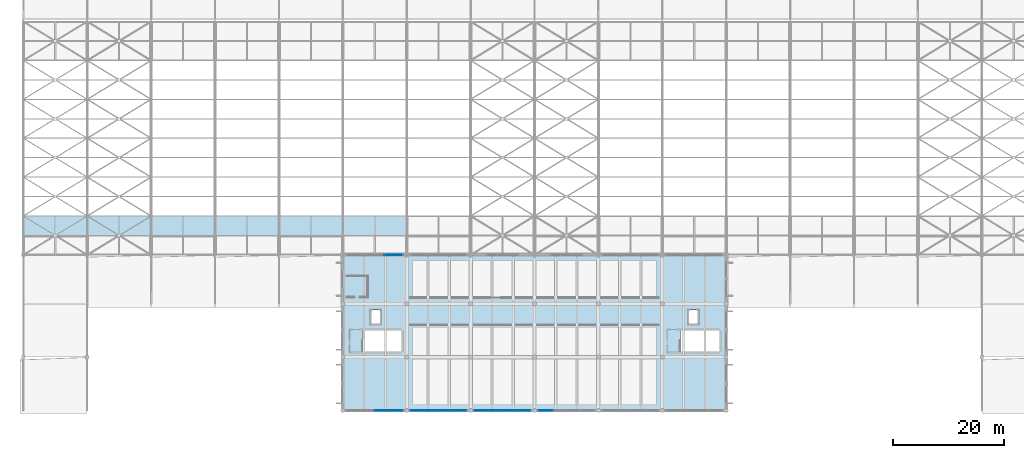
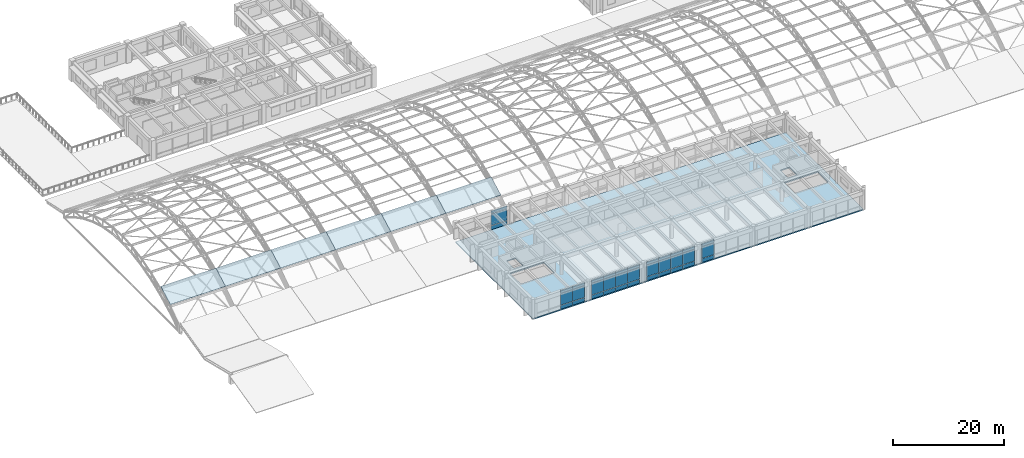
# One storey, part 124 of 154: 36 plates, 7 slabs, 5 elements without a shape of their own.
"""IFC4 building model written with IfcOpenShell, lengths in metres."""

import ifcopenshell
import ifcopenshell.guid

model = None  # the IFC model being written
_history = None  # IfcOwnerHistory: only IFC2X3 demands one
_inside = {}  # id of a spatial element -> (the spatial element, [elements in it])
_under = {}  # id of a project, library or spatial element -> (it, [spatial elements below it])
_declared = {}  # id of a project -> (the project, [libraries it declares])
_typed = {}  # id of a type object -> (the type object, [elements of that type])
_made_of = {}  # id of a material, layer set ... -> (it, [elements and type objects made of it])


def new_model(schema):
    """Start an empty IFC model of exactly this schema.

    Asked for "IFC4X3", IfcOpenShell would pick the latest addendum, in which some entities
    have other attributes; the version numbers below select the first issue.
    IFC2X3 requires an IfcOwnerHistory on every rooted entity: one is made here for all.
    """
    global model, _history
    if schema == "IFC4X3":
        model = ifcopenshell.file(schema_version=(4, 3, 0, 0))
    else:
        model = ifcopenshell.file(schema=schema)
    _inside.clear()
    _under.clear()
    _declared.clear()
    _typed.clear()
    _made_of.clear()
    _history = None
    if model.schema == "IFC2X3":
        org = make("IfcOrganization", Name="unknown")
        user = make(
            "IfcPersonAndOrganization",
            ThePerson=make("IfcPerson", FamilyName="unknown"),
            TheOrganization=org,
        )
        app = make(
            "IfcApplication",
            ApplicationDeveloper=org,
            Version="unknown",
            ApplicationFullName="unknown",
            ApplicationIdentifier="unknown",
        )
        _history = make(
            "IfcOwnerHistory",
            OwningUser=user,
            OwningApplication=app,
            ChangeAction="ADDED",
            CreationDate=0,
        )
    return model


def make(cls, **values):
    """One entity of the class cls with the attributes given. An attribute that is None is left unset."""
    return model.create_entity(
        cls, **{name: value for name, value in values.items() if value is not None}
    )


def rooted(cls, **values):
    """An entity with a GlobalId (a new one), such as an element, a storey or a relation."""
    return make(cls, GlobalId=ifcopenshell.guid.new(), OwnerHistory=_history, **values)


def si_unit(unit_type, name, prefix=None):
    """IfcSIUnit, for example si_unit("LENGTHUNIT", "METRE", prefix="MILLI")."""
    return make("IfcSIUnit", UnitType=unit_type, Prefix=prefix, Name=name)


def assignment(units):
    """IfcUnitAssignment: the units of a project."""
    return None if units is None else make("IfcUnitAssignment", Units=units)


def point(xyz):
    """IfcCartesianPoint."""
    return None if xyz is None else make("IfcCartesianPoint", Coordinates=xyz)


def direction(xyz):
    """IfcDirection."""
    return None if xyz is None else make("IfcDirection", DirectionRatios=xyz)


def frame(location, z_axis=None, x_axis=None):
    """IfcAxis2Placement3D, a coordinate frame: its origin and axes. An axis left out is left unset."""
    return make(
        "IfcAxis2Placement3D",
        Location=point(location),
        Axis=direction(z_axis),
        RefDirection=direction(x_axis),
    )


def frame_2d(location, x_axis=None):
    """IfcAxis2Placement2D, a coordinate frame in the plane: its origin and x axis."""
    return make(
        "IfcAxis2Placement2D", Location=point(location), RefDirection=direction(x_axis)
    )


def origin():
    """The frame at (0, 0, 0) with its axes left unset."""
    return frame((0.0, 0.0, 0.0))


def origin_2d():
    """The frame at (0, 0) in the plane with its x axis left unset."""
    return frame_2d((0.0, 0.0))


def place(relative_to, where):
    """IfcLocalPlacement: puts the frame where relative to a parent placement (None: the world)."""
    return make(
        "IfcLocalPlacement", PlacementRelTo=relative_to, RelativePlacement=where
    )


def context(
    kind, dimensions, precision=None, world=None, true_north=None, identifier=None
):
    """IfcGeometricRepresentationContext, for example the 3D "Model" context."""
    return make(
        "IfcGeometricRepresentationContext",
        ContextIdentifier=identifier,
        ContextType=kind,
        CoordinateSpaceDimension=dimensions,
        Precision=precision,
        WorldCoordinateSystem=world,
        TrueNorth=true_north,
    )


def subcontext(parent, identifier, kind, view, scale=None):
    """IfcGeometricRepresentationSubContext, for example "Body" below "Model"."""
    return make(
        "IfcGeometricRepresentationSubContext",
        ContextIdentifier=identifier,
        ContextType=kind,
        ParentContext=parent,
        TargetScale=scale,
        TargetView=view,
    )


def project(units=None, contexts=None):
    """IfcProject with its units and contexts."""
    return rooted(
        "IfcProject",
        Name="project",
        RepresentationContexts=contexts,
        UnitsInContext=assignment(units),
    )


def spatial(cls, under=None, at=None, **own):
    """A site, building, storey or space (cls), placed at a placement, below another one or the project."""
    s = rooted(cls, ObjectPlacement=at, **own)
    if under is not None:
        _under.setdefault(under.id(), (under, []))[1].append(s)
    return s


def polyline(points):
    """IfcPolyline through the points."""
    return make("IfcPolyline", Points=[point(p) for p in points])


def profile(cls, at=None, kind="AREA", **sizes):
    """A parametric profile (cls). Its sizes go by their IFC names, for example OverallWidth=200.0."""
    return make(cls, ProfileType=kind, Position=at, **sizes)


def rectangle(**sizes):
    """IfcRectangleProfileDef."""
    return profile("IfcRectangleProfileDef", **sizes)


def outline(outer, holes=None, kind="AREA"):
    """IfcArbitraryClosedProfileDef: a profile drawn as a closed curve; with holes, ...WithVoids."""
    if holes is None:
        return make("IfcArbitraryClosedProfileDef", ProfileType=kind, OuterCurve=outer)
    return make(
        "IfcArbitraryProfileDefWithVoids",
        ProfileType=kind,
        OuterCurve=outer,
        InnerCurves=holes,
    )


def extrude(swept, where, along, depth):
    """IfcExtrudedAreaSolid: the profile swept, set in the frame where, extruded along a direction by depth."""
    return make(
        "IfcExtrudedAreaSolid",
        SweptArea=swept,
        Position=where,
        ExtrudedDirection=direction(along),
        Depth=depth,
    )


def shape(context_of_items, identifier, shape_type, items):
    """IfcShapeRepresentation: the items that make up one representation, for example the "Body"."""
    return make(
        "IfcShapeRepresentation",
        ContextOfItems=context_of_items,
        RepresentationIdentifier=identifier,
        RepresentationType=shape_type,
        Items=items,
    )


def material(Name=None, Category=None):
    """IfcMaterial."""
    return make("IfcMaterial", Name=Name, Category=Category)


def layer(
    of_material, thickness, ventilated=None, Name=None, Category=None, Priority=None
):
    """IfcMaterialLayer: one layer of a wall or slab, of a material (None: an air gap)."""
    return make(
        "IfcMaterialLayer",
        Material=of_material,
        LayerThickness=thickness,
        IsVentilated=ventilated,
        Name=Name,
        Category=Category,
        Priority=Priority,
    )


def layer_set(layers, Name=None):
    """IfcMaterialLayerSet."""
    return make("IfcMaterialLayerSet", MaterialLayers=layers, LayerSetName=Name)


def made_of(thing, what):
    """Note that an element or type object is made of a material, layer set ...; save() writes the relation."""
    if what is not None:
        _made_of.setdefault(what.id(), (what, []))[1].append(thing)
    return thing


def type_object(cls, material=None, **own):
    """A type object (cls), such as IfcWallType, which elements share."""
    return made_of(rooted(cls, **own), material)


def element(
    cls,
    number,
    at=None,
    inside=None,
    cuts=None,
    type_object=None,
    material=None,
    context=None,
    identifier="Body",
    shape_type=None,
    held_by="IfcProductDefinitionShape",
    body=None,
    shapes=None,
    **own,
):
    """One element of the class cls, such as IfcWall. Its Tag is "e" and its number.

    at: its placement. inside: the storey or other place that contains it. cuts: it is an
    opening in that element (IfcRelVoidsElement). A single representation is given by context,
    identifier, shape_type and body (its items); several are given by shapes. held_by: the class
    of the entity that holds the representations. save() writes the other relations.
    """
    e = rooted(cls, Tag="e%d" % number, ObjectPlacement=at, **own)
    if body is not None:
        shapes = [shape(context, identifier, shape_type, body)]
    if shapes is not None:
        e.Representation = make(held_by, Representations=shapes)
    if inside is not None:
        _inside.setdefault(inside.id(), (inside, []))[1].append(e)
    if cuts is not None:
        rooted(
            "IfcRelVoidsElement", RelatingBuildingElement=cuts, RelatedOpeningElement=e
        )
    if type_object is not None:
        _typed.setdefault(type_object.id(), (type_object, []))[1].append(e)
    return made_of(e, material)


def aggregate(whole, parts):
    """IfcRelAggregates: a whole, such as a stair, and the parts it consists of."""
    return rooted("IfcRelAggregates", RelatingObject=whole, RelatedObjects=parts)


def save(model, path):
    """Write the relations noted so far, then the file.

    IfcRelAggregates (storeys below a building ...), IfcRelContainedInSpatialStructure (elements
    in a storey), IfcRelDefinesByType, IfcRelAssociatesMaterial and IfcRelDeclares: one each for
    every whole, place, type object, material and project.
    """
    for whole, parts in _under.values():
        aggregate(whole, parts)
    for where, things in _inside.values():
        rooted(
            "IfcRelContainedInSpatialStructure",
            RelatedElements=things,
            RelatingStructure=where,
        )
    for kind, things in _typed.values():
        rooted("IfcRelDefinesByType", RelatedObjects=things, RelatingType=kind)
    for what, things in _made_of.values():
        rooted("IfcRelAssociatesMaterial", RelatedObjects=things, RelatingMaterial=what)
    for by, libraries in _declared.values():
        rooted("IfcRelDeclares", RelatingContext=by, RelatedDefinitions=libraries)
    model.write(path)


model = new_model("IFC4")

# Units and contexts
model_context = context("Model", 3, precision=1e-05, world=origin(), true_north=direction((0.0, 1.0)))
body_context = subcontext(model_context, "Body", "Model", "MODEL_VIEW")
ifc_project = project(units=[si_unit("LENGTHUNIT", "METRE"), si_unit("AREAUNIT", "SQUARE_METRE"), si_unit("VOLUMEUNIT", "CUBIC_METRE"), si_unit("PLANEANGLEUNIT", "RADIAN"), si_unit("MASSUNIT", "GRAM", prefix="KILO")], contexts=[model_context])

# Site, building, storey
site_placement = place(None, origin())
site = spatial("IfcSite", under=ifc_project, at=site_placement, CompositionType="ELEMENT")
building_placement = place(site_placement, origin())
building = spatial("IfcBuilding", under=site, at=building_placement, Name="Ologun Quay Terminus", CompositionType="ELEMENT")
storey_placement = place(building_placement, frame((0.0, 0.0, 13.800048828125)))
storey = spatial("IfcBuildingStorey", under=building, at=storey_placement, Name="L03", CompositionType="ELEMENT", Elevation=13.800048828125)

# Curtain wall, plates
ifc_material_1 = material(Name="Aluminium 6063-T6", Category="aluminium")
curtain_wall_type_1 = type_object("IfcCurtainWallType", Name="South Pavilion Reading Hall Curtain Wall 10700x4150", PredefinedType="USERDEFINED", material=ifc_material_1)
curtain_wall_1_placement = place(storey_placement, origin())
curtain_wall_1 = element("IfcCurtainWall", 1, at=curtain_wall_1_placement, inside=storey, type_object=curtain_wall_type_1, Name="CW-06 Curtain Wall CW-L03-034", ObjectType="UNITISED CURTAIN WALL", PredefinedType="USERDEFINED")
ifc_material_2 = material(Name="Aluminium 6063-T6", Category="aluminium")
ifc_layer_1 = layer(ifc_material_2, 0.06005859375)
ifc_layer_set_1 = layer_set([ifc_layer_1], Name="Aluminium 6063-T6")
plate_type_1 = type_object("IfcPlateType", Name="Anodised Bronze Spandrel Panel 60", PredefinedType="CURTAIN_PANEL", material=ifc_layer_set_1)
plate_1_placement = place(storey_placement, frame((64.501220703125, 8.0, 0.02978515625), z_axis=(0.0, 0.0, 1.0), x_axis=(1.0, 0.0, 0.0)))
plate_1 = element("IfcPlate", 2, at=plate_1_placement, type_object=plate_type_1, Name="CW-L03-034 Panel B3-1", PredefinedType="CURTAIN_PANEL", context=body_context, shape_type="SweptSolid", body=[
    extrude(rectangle(XDim=2.50244140625, YDim=0.06005859375, at=origin_2d()), origin(), (0.0, 0.0, 1.0), 0.840087890625),
])
plate_2_placement = place(storey_placement, frame((67.003662109375, 8.0, 0.02978515625), z_axis=(0.0, 0.0, 1.0), x_axis=(1.0, 0.0, 0.0)))
plate_2 = element("IfcPlate", 3, at=plate_2_placement, type_object=plate_type_1, Name="CW-L03-034 Panel B4-1", PredefinedType="CURTAIN_PANEL", context=body_context, shape_type="SweptSolid", body=[
    extrude(rectangle(XDim=2.50244140625, YDim=0.06005859375, at=origin_2d()), origin(), (0.0, 0.0, 1.0), 0.840087890625),
])

curtain_wall_2_placement = place(storey_placement, origin())
curtain_wall_2 = element("IfcCurtainWall", 4, at=curtain_wall_2_placement, inside=storey, type_object=curtain_wall_type_1, Name="CW-06 Curtain Wall CW-L03-035", ObjectType="UNITISED CURTAIN WALL", PredefinedType="USERDEFINED")
plate_3_placement = place(storey_placement, frame((70.996337890625, 8.0, 0.02978515625), z_axis=(0.0, 0.0, 1.0), x_axis=(1.0, 0.0, 0.0)))
plate_3 = element("IfcPlate", 5, at=plate_3_placement, type_object=plate_type_1, Name="CW-L03-035 Panel B1-1", PredefinedType="CURTAIN_PANEL", context=body_context, shape_type="SweptSolid", body=[
    extrude(rectangle(XDim=2.50244140625, YDim=0.06005859375, at=origin_2d()), origin(), (0.0, 0.0, 1.0), 0.840087890625),
])
plate_4_placement = place(storey_placement, frame((73.498779296875, 8.0, 0.02978515625), z_axis=(0.0, 0.0, 1.0), x_axis=(1.0, 0.0, 0.0)))
plate_4 = element("IfcPlate", 6, at=plate_4_placement, type_object=plate_type_1, Name="CW-L03-035 Panel B2-1", PredefinedType="CURTAIN_PANEL", context=body_context, shape_type="SweptSolid", body=[
    extrude(rectangle(XDim=2.50244140625, YDim=0.06005859375, at=origin_2d()), origin(), (0.0, 0.0, 1.0), 0.840087890625),
])
plate_5_placement = place(storey_placement, frame((76.001220703125, 8.0, 0.02978515625), z_axis=(0.0, 0.0, 1.0), x_axis=(1.0, 0.0, 0.0)))
plate_5 = element("IfcPlate", 7, at=plate_5_placement, type_object=plate_type_1, Name="CW-L03-035 Panel B3-1", PredefinedType="CURTAIN_PANEL", context=body_context, shape_type="SweptSolid", body=[
    extrude(rectangle(XDim=2.50244140625, YDim=0.06005859375, at=origin_2d()), origin(), (0.0, 0.0, 1.0), 0.840087890625),
])
plate_6_placement = place(storey_placement, frame((78.503662109375, 8.0, 0.02978515625), z_axis=(0.0, 0.0, 1.0), x_axis=(1.0, 0.0, 0.0)))
plate_6 = element("IfcPlate", 8, at=plate_6_placement, type_object=plate_type_1, Name="CW-L03-035 Panel B4-1", PredefinedType="CURTAIN_PANEL", context=body_context, shape_type="SweptSolid", body=[
    extrude(rectangle(XDim=2.50244140625, YDim=0.06005859375, at=origin_2d()), origin(), (0.0, 0.0, 1.0), 0.840087890625),
])

curtain_wall_3_placement = place(storey_placement, origin())
curtain_wall_3 = element("IfcCurtainWall", 9, at=curtain_wall_3_placement, inside=storey, type_object=curtain_wall_type_1, Name="CW-06 Curtain Wall CW-L03-036", ObjectType="UNITISED CURTAIN WALL", PredefinedType="USERDEFINED")
plate_7_placement = place(storey_placement, frame((82.496337890625, 8.0, 0.02978515625), z_axis=(0.0, 0.0, 1.0), x_axis=(1.0, 0.0, 0.0)))
plate_7 = element("IfcPlate", 10, at=plate_7_placement, type_object=plate_type_1, Name="CW-L03-036 Panel B1-1", PredefinedType="CURTAIN_PANEL", context=body_context, shape_type="SweptSolid", body=[
    extrude(rectangle(XDim=2.50244140625, YDim=0.06005859375, at=origin_2d()), origin(), (0.0, 0.0, 1.0), 0.840087890625),
])
plate_8_placement = place(storey_placement, frame((84.998779296875, 8.0, 0.02978515625), z_axis=(0.0, 0.0, 1.0), x_axis=(1.0, 0.0, 0.0)))
plate_8 = element("IfcPlate", 11, at=plate_8_placement, type_object=plate_type_1, Name="CW-L03-036 Panel B2-1", PredefinedType="CURTAIN_PANEL", context=body_context, shape_type="SweptSolid", body=[
    extrude(rectangle(XDim=2.50244140625, YDim=0.06005859375, at=origin_2d()), origin(), (0.0, 0.0, 1.0), 0.840087890625),
])
plate_9_placement = place(storey_placement, frame((87.501220703125, 8.0, 0.02978515625), z_axis=(0.0, 0.0, 1.0), x_axis=(1.0, 0.0, 0.0)))
plate_9 = element("IfcPlate", 12, at=plate_9_placement, type_object=plate_type_1, Name="CW-L03-036 Panel B3-1", PredefinedType="CURTAIN_PANEL", context=body_context, shape_type="SweptSolid", body=[
    extrude(rectangle(XDim=2.50244140625, YDim=0.06005859375, at=origin_2d()), origin(), (0.0, 0.0, 1.0), 0.840087890625),
])
plate_10_placement = place(storey_placement, frame((90.003662109375, 8.0, 0.02978515625), z_axis=(0.0, 0.0, 1.0), x_axis=(1.0, 0.0, 0.0)))
plate_10 = element("IfcPlate", 13, at=plate_10_placement, type_object=plate_type_1, Name="CW-L03-036 Panel B4-1", PredefinedType="CURTAIN_PANEL", context=body_context, shape_type="SweptSolid", body=[
    extrude(rectangle(XDim=2.50244140625, YDim=0.06005859375, at=origin_2d()), origin(), (0.0, 0.0, 1.0), 0.840087890625),
])

# Curtain wall, plate
curtain_wall_4_placement = place(storey_placement, origin())
curtain_wall_4 = element("IfcCurtainWall", 14, at=curtain_wall_4_placement, inside=storey, type_object=curtain_wall_type_1, Name="CW-06 Curtain Wall CW-L03-037", ObjectType="UNITISED CURTAIN WALL", PredefinedType="USERDEFINED")
plate_11_placement = place(storey_placement, frame((93.996337890625, 8.0, 0.02978515625), z_axis=(0.0, 0.0, 1.0), x_axis=(1.0, 0.0, 0.0)))
plate_11 = element("IfcPlate", 15, at=plate_11_placement, type_object=plate_type_1, Name="CW-L03-037 Panel B1-1", PredefinedType="CURTAIN_PANEL", context=body_context, shape_type="SweptSolid", body=[
    extrude(rectangle(XDim=2.50244140625, YDim=0.06005859375, at=origin_2d()), origin(), (0.0, 0.0, 1.0), 0.840087890625),
])

ifc_material_3 = material(Name="Aluminium 6063-T6", Category="aluminium")
curtain_wall_type_2 = type_object("IfcCurtainWallType", Name="South Pavilion Clerestory Curtain Wall 10700x4050", PredefinedType="USERDEFINED", material=ifc_material_3)
curtain_wall_5_placement = place(storey_placement, origin())
curtain_wall_5 = element("IfcCurtainWall", 16, at=curtain_wall_5_placement, inside=storey, type_object=curtain_wall_type_2, Name="CW-07 Curtain Wall CW-L03-040", ObjectType="UNITISED CURTAIN WALL", PredefinedType="USERDEFINED")
ifc_material_4 = material(Name="Aluminium 6063-T6", Category="aluminium")
ifc_layer_2 = layer(ifc_material_4, 0.050048828125)
ifc_layer_set_2 = layer_set([ifc_layer_2], Name="Aluminium 6063-T6")
plate_type_2 = type_object("IfcPlateType", Name="Insulated Aluminium Shadow-Box Spandrel 50", PredefinedType="CURTAIN_PANEL", material=ifc_layer_set_2)
plate_12_placement = place(storey_placement, frame((66.586669921875, 36.0, 0.02978515625), z_axis=(0.0, 0.0, 1.0), x_axis=(1.0, 0.0, 0.0)))
plate_12 = element("IfcPlate", 17, at=plate_12_placement, type_object=plate_type_2, Name="CW-L03-040 Panel B3-1", PredefinedType="CURTAIN_PANEL", context=body_context, shape_type="SweptSolid", body=[
    extrude(rectangle(XDim=3.336669921875, YDim=0.050048828125, at=origin_2d()), origin(), (0.0, 0.0, 1.0), 0.840087890625),
])

# Slab
ifc_material_5 = material(Name="Concrete C40/50", Category="concrete")
ifc_layer_3 = layer(ifc_material_5, 0.25)
ifc_layer_set_3 = layer_set([ifc_layer_3], Name="Concrete C40/50")
slab_type_1 = type_object("IfcSlabType", Name="North Wing Floor Slab 250", PredefinedType="FLOOR", material=ifc_layer_set_3)
slab_placement = place(storey_placement, frame((0.0, 0.0, -0.25)))
element("IfcSlab", 18, at=slab_placement, inside=storey, type_object=slab_type_1, Name="SL-TWR South Pavilion Upper Hall Slab L03", PredefinedType="FLOOR", context=body_context, shape_type="SweptSolid", body=[
    extrude(outline(polyline([(57.5, 8.0), (126.5, 8.0), (126.5, 36.0), (57.5, 36.0), (57.5, 8.0)]), holes=[polyline([(62.449951171875, 23.449951171875), (62.449951171875, 26.14990234375), (64.35009765625, 26.14990234375), (64.35009765625, 23.449951171875), (62.449951171875, 23.449951171875)]), polyline([(119.64990234375, 23.449951171875), (119.64990234375, 26.14990234375), (121.550048828125, 26.14990234375), (121.550048828125, 23.449951171875), (119.64990234375, 23.449951171875)]), polyline([(61.080078125, 18.60009765625), (61.080078125, 22.39990234375), (68.10009765625, 22.39990234375), (68.10009765625, 18.60009765625), (61.080078125, 18.60009765625)]), polyline([(118.280029296875, 18.60009765625), (118.280029296875, 22.39990234375), (125.300048828125, 22.39990234375), (125.300048828125, 18.60009765625), (118.280029296875, 18.60009765625)])]), origin(), (0.0, 0.0, 1.0), 0.25),
])

# Plate
ifc_material_6 = material(Name="Glass", Category="glass")
ifc_layer_4 = layer(ifc_material_6, 0.028076171875)
ifc_layer_set_4 = layer_set([ifc_layer_4], Name="Glass")
plate_type_3 = type_object("IfcPlateType", Name="Solar-Control Double Glazed Panel 28", PredefinedType="CURTAIN_PANEL", material=ifc_layer_set_4)
plate_13_placement = place(storey_placement, frame((64.501220703125, 8.0, 0.929931640625), z_axis=(0.0, 0.0, 1.0), x_axis=(1.0, 0.0, 0.0)))
plate_13 = element("IfcPlate", 19, at=plate_13_placement, type_object=plate_type_3, Name="CW-L03-034 Panel B3-2", PredefinedType="CURTAIN_PANEL", context=body_context, shape_type="SweptSolid", body=[
    extrude(rectangle(XDim=2.50244140625, YDim=0.028076171875, at=origin_2d()), origin(), (0.0, 0.0, 1.0), 2.580078125),
])

plate_14_placement = place(storey_placement, frame((64.501220703125, 8.0, 3.56982421875), z_axis=(0.0, 0.0, 1.0), x_axis=(1.0, 0.0, 0.0)))
plate_14 = element("IfcPlate", 20, at=plate_14_placement, type_object=plate_type_3, Name="CW-L03-034 Panel B3-3", PredefinedType="CURTAIN_PANEL", context=body_context, shape_type="SweptSolid", body=[
    extrude(rectangle(XDim=2.50244140625, YDim=0.028076171875, at=origin_2d()), origin(), (0.0, 0.0, 1.0), 0.639892578125),
])

plate_15_placement = place(storey_placement, frame((67.003662109375, 8.0, 0.929931640625), z_axis=(0.0, 0.0, 1.0), x_axis=(1.0, 0.0, 0.0)))
plate_15 = element("IfcPlate", 21, at=plate_15_placement, type_object=plate_type_3, Name="CW-L03-034 Panel B4-2", PredefinedType="CURTAIN_PANEL", context=body_context, shape_type="SweptSolid", body=[
    extrude(rectangle(XDim=2.50244140625, YDim=0.028076171875, at=origin_2d()), origin(), (0.0, 0.0, 1.0), 2.580078125),
])

plate_16_placement = place(storey_placement, frame((67.003662109375, 8.0, 3.56982421875), z_axis=(0.0, 0.0, 1.0), x_axis=(1.0, 0.0, 0.0)))
plate_16 = element("IfcPlate", 22, at=plate_16_placement, type_object=plate_type_3, Name="CW-L03-034 Panel B4-3", PredefinedType="CURTAIN_PANEL", context=body_context, shape_type="SweptSolid", body=[
    extrude(rectangle(XDim=2.50244140625, YDim=0.028076171875, at=origin_2d()), origin(), (0.0, 0.0, 1.0), 0.639892578125),
])

aggregate(curtain_wall_1, [plate_1, plate_13, plate_14, plate_2, plate_15, plate_16])

plate_17_placement = place(storey_placement, frame((70.996337890625, 8.0, 0.929931640625), z_axis=(0.0, 0.0, 1.0), x_axis=(1.0, 0.0, 0.0)))
plate_17 = element("IfcPlate", 23, at=plate_17_placement, type_object=plate_type_3, Name="CW-L03-035 Panel B1-2", PredefinedType="CURTAIN_PANEL", context=body_context, shape_type="SweptSolid", body=[
    extrude(rectangle(XDim=2.50244140625, YDim=0.028076171875, at=origin_2d()), origin(), (0.0, 0.0, 1.0), 2.580078125),
])

plate_18_placement = place(storey_placement, frame((70.996337890625, 8.0, 3.56982421875), z_axis=(0.0, 0.0, 1.0), x_axis=(1.0, 0.0, 0.0)))
plate_18 = element("IfcPlate", 24, at=plate_18_placement, type_object=plate_type_3, Name="CW-L03-035 Panel B1-3", PredefinedType="CURTAIN_PANEL", context=body_context, shape_type="SweptSolid", body=[
    extrude(rectangle(XDim=2.50244140625, YDim=0.028076171875, at=origin_2d()), origin(), (0.0, 0.0, 1.0), 0.639892578125),
])

plate_19_placement = place(storey_placement, frame((73.498779296875, 8.0, 0.929931640625), z_axis=(0.0, 0.0, 1.0), x_axis=(1.0, 0.0, 0.0)))
plate_19 = element("IfcPlate", 25, at=plate_19_placement, type_object=plate_type_3, Name="CW-L03-035 Panel B2-2", PredefinedType="CURTAIN_PANEL", context=body_context, shape_type="SweptSolid", body=[
    extrude(rectangle(XDim=2.50244140625, YDim=0.028076171875, at=origin_2d()), origin(), (0.0, 0.0, 1.0), 2.580078125),
])

plate_20_placement = place(storey_placement, frame((73.498779296875, 8.0, 3.56982421875), z_axis=(0.0, 0.0, 1.0), x_axis=(1.0, 0.0, 0.0)))
plate_20 = element("IfcPlate", 26, at=plate_20_placement, type_object=plate_type_3, Name="CW-L03-035 Panel B2-3", PredefinedType="CURTAIN_PANEL", context=body_context, shape_type="SweptSolid", body=[
    extrude(rectangle(XDim=2.50244140625, YDim=0.028076171875, at=origin_2d()), origin(), (0.0, 0.0, 1.0), 0.639892578125),
])

plate_21_placement = place(storey_placement, frame((76.001220703125, 8.0, 0.929931640625), z_axis=(0.0, 0.0, 1.0), x_axis=(1.0, 0.0, 0.0)))
plate_21 = element("IfcPlate", 27, at=plate_21_placement, type_object=plate_type_3, Name="CW-L03-035 Panel B3-2", PredefinedType="CURTAIN_PANEL", context=body_context, shape_type="SweptSolid", body=[
    extrude(rectangle(XDim=2.50244140625, YDim=0.028076171875, at=origin_2d()), origin(), (0.0, 0.0, 1.0), 2.580078125),
])

plate_22_placement = place(storey_placement, frame((76.001220703125, 8.0, 3.56982421875), z_axis=(0.0, 0.0, 1.0), x_axis=(1.0, 0.0, 0.0)))
plate_22 = element("IfcPlate", 28, at=plate_22_placement, type_object=plate_type_3, Name="CW-L03-035 Panel B3-3", PredefinedType="CURTAIN_PANEL", context=body_context, shape_type="SweptSolid", body=[
    extrude(rectangle(XDim=2.50244140625, YDim=0.028076171875, at=origin_2d()), origin(), (0.0, 0.0, 1.0), 0.639892578125),
])

plate_23_placement = place(storey_placement, frame((78.503662109375, 8.0, 0.929931640625), z_axis=(0.0, 0.0, 1.0), x_axis=(1.0, 0.0, 0.0)))
plate_23 = element("IfcPlate", 29, at=plate_23_placement, type_object=plate_type_3, Name="CW-L03-035 Panel B4-2", PredefinedType="CURTAIN_PANEL", context=body_context, shape_type="SweptSolid", body=[
    extrude(rectangle(XDim=2.50244140625, YDim=0.028076171875, at=origin_2d()), origin(), (0.0, 0.0, 1.0), 2.580078125),
])

plate_24_placement = place(storey_placement, frame((78.503662109375, 8.0, 3.56982421875), z_axis=(0.0, 0.0, 1.0), x_axis=(1.0, 0.0, 0.0)))
plate_24 = element("IfcPlate", 30, at=plate_24_placement, type_object=plate_type_3, Name="CW-L03-035 Panel B4-3", PredefinedType="CURTAIN_PANEL", context=body_context, shape_type="SweptSolid", body=[
    extrude(rectangle(XDim=2.50244140625, YDim=0.028076171875, at=origin_2d()), origin(), (0.0, 0.0, 1.0), 0.639892578125),
])

aggregate(curtain_wall_2, [plate_3, plate_17, plate_18, plate_4, plate_19, plate_20, plate_5, plate_21, plate_22, plate_6, plate_23, plate_24])

plate_25_placement = place(storey_placement, frame((82.496337890625, 8.0, 0.929931640625), z_axis=(0.0, 0.0, 1.0), x_axis=(1.0, 0.0, 0.0)))
plate_25 = element("IfcPlate", 31, at=plate_25_placement, type_object=plate_type_3, Name="CW-L03-036 Panel B1-2", PredefinedType="CURTAIN_PANEL", context=body_context, shape_type="SweptSolid", body=[
    extrude(rectangle(XDim=2.50244140625, YDim=0.028076171875, at=origin_2d()), origin(), (0.0, 0.0, 1.0), 2.580078125),
])

plate_26_placement = place(storey_placement, frame((82.496337890625, 8.0, 3.56982421875), z_axis=(0.0, 0.0, 1.0), x_axis=(1.0, 0.0, 0.0)))
plate_26 = element("IfcPlate", 32, at=plate_26_placement, type_object=plate_type_3, Name="CW-L03-036 Panel B1-3", PredefinedType="CURTAIN_PANEL", context=body_context, shape_type="SweptSolid", body=[
    extrude(rectangle(XDim=2.50244140625, YDim=0.028076171875, at=origin_2d()), origin(), (0.0, 0.0, 1.0), 0.639892578125),
])

plate_27_placement = place(storey_placement, frame((84.998779296875, 8.0, 0.929931640625), z_axis=(0.0, 0.0, 1.0), x_axis=(1.0, 0.0, 0.0)))
plate_27 = element("IfcPlate", 33, at=plate_27_placement, type_object=plate_type_3, Name="CW-L03-036 Panel B2-2", PredefinedType="CURTAIN_PANEL", context=body_context, shape_type="SweptSolid", body=[
    extrude(rectangle(XDim=2.50244140625, YDim=0.028076171875, at=origin_2d()), origin(), (0.0, 0.0, 1.0), 2.580078125),
])

plate_28_placement = place(storey_placement, frame((84.998779296875, 8.0, 3.56982421875), z_axis=(0.0, 0.0, 1.0), x_axis=(1.0, 0.0, 0.0)))
plate_28 = element("IfcPlate", 34, at=plate_28_placement, type_object=plate_type_3, Name="CW-L03-036 Panel B2-3", PredefinedType="CURTAIN_PANEL", context=body_context, shape_type="SweptSolid", body=[
    extrude(rectangle(XDim=2.50244140625, YDim=0.028076171875, at=origin_2d()), origin(), (0.0, 0.0, 1.0), 0.639892578125),
])

plate_29_placement = place(storey_placement, frame((87.501220703125, 8.0, 0.929931640625), z_axis=(0.0, 0.0, 1.0), x_axis=(1.0, 0.0, 0.0)))
plate_29 = element("IfcPlate", 35, at=plate_29_placement, type_object=plate_type_3, Name="CW-L03-036 Panel B3-2", PredefinedType="CURTAIN_PANEL", context=body_context, shape_type="SweptSolid", body=[
    extrude(rectangle(XDim=2.50244140625, YDim=0.028076171875, at=origin_2d()), origin(), (0.0, 0.0, 1.0), 2.580078125),
])

plate_30_placement = place(storey_placement, frame((87.501220703125, 8.0, 3.56982421875), z_axis=(0.0, 0.0, 1.0), x_axis=(1.0, 0.0, 0.0)))
plate_30 = element("IfcPlate", 36, at=plate_30_placement, type_object=plate_type_3, Name="CW-L03-036 Panel B3-3", PredefinedType="CURTAIN_PANEL", context=body_context, shape_type="SweptSolid", body=[
    extrude(rectangle(XDim=2.50244140625, YDim=0.028076171875, at=origin_2d()), origin(), (0.0, 0.0, 1.0), 0.639892578125),
])

plate_31_placement = place(storey_placement, frame((90.003662109375, 8.0, 0.929931640625), z_axis=(0.0, 0.0, 1.0), x_axis=(1.0, 0.0, 0.0)))
plate_31 = element("IfcPlate", 37, at=plate_31_placement, type_object=plate_type_3, Name="CW-L03-036 Panel B4-2", PredefinedType="CURTAIN_PANEL", context=body_context, shape_type="SweptSolid", body=[
    extrude(rectangle(XDim=2.50244140625, YDim=0.028076171875, at=origin_2d()), origin(), (0.0, 0.0, 1.0), 2.580078125),
])

plate_32_placement = place(storey_placement, frame((90.003662109375, 8.0, 3.56982421875), z_axis=(0.0, 0.0, 1.0), x_axis=(1.0, 0.0, 0.0)))
plate_32 = element("IfcPlate", 38, at=plate_32_placement, type_object=plate_type_3, Name="CW-L03-036 Panel B4-3", PredefinedType="CURTAIN_PANEL", context=body_context, shape_type="SweptSolid", body=[
    extrude(rectangle(XDim=2.50244140625, YDim=0.028076171875, at=origin_2d()), origin(), (0.0, 0.0, 1.0), 0.639892578125),
])

aggregate(curtain_wall_3, [plate_7, plate_25, plate_26, plate_8, plate_27, plate_28, plate_9, plate_29, plate_30, plate_10, plate_31, plate_32])

plate_33_placement = place(storey_placement, frame((93.996337890625, 8.0, 0.929931640625), z_axis=(0.0, 0.0, 1.0), x_axis=(1.0, 0.0, 0.0)))
plate_33 = element("IfcPlate", 39, at=plate_33_placement, type_object=plate_type_3, Name="CW-L03-037 Panel B1-2", PredefinedType="CURTAIN_PANEL", context=body_context, shape_type="SweptSolid", body=[
    extrude(rectangle(XDim=2.50244140625, YDim=0.028076171875, at=origin_2d()), origin(), (0.0, 0.0, 1.0), 2.580078125),
])

plate_34_placement = place(storey_placement, frame((93.996337890625, 8.0, 3.56982421875), z_axis=(0.0, 0.0, 1.0), x_axis=(1.0, 0.0, 0.0)))
plate_34 = element("IfcPlate", 40, at=plate_34_placement, type_object=plate_type_3, Name="CW-L03-037 Panel B1-3", PredefinedType="CURTAIN_PANEL", context=body_context, shape_type="SweptSolid", body=[
    extrude(rectangle(XDim=2.50244140625, YDim=0.028076171875, at=origin_2d()), origin(), (0.0, 0.0, 1.0), 0.639892578125),
])

aggregate(curtain_wall_4, [plate_11, plate_33, plate_34])

plate_35_placement = place(storey_placement, frame((66.586669921875, 36.0, 0.929931640625), z_axis=(0.0, 0.0, 1.0), x_axis=(1.0, 0.0, 0.0)))
plate_35 = element("IfcPlate", 41, at=plate_35_placement, type_object=plate_type_3, Name="CW-L03-040 Panel B3-2", PredefinedType="CURTAIN_PANEL", context=body_context, shape_type="SweptSolid", body=[
    extrude(rectangle(XDim=3.336669921875, YDim=0.028076171875, at=origin_2d()), origin(), (0.0, 0.0, 1.0), 2.580078125),
])

plate_36_placement = place(storey_placement, frame((66.586669921875, 36.0, 3.56982421875), z_axis=(0.0, 0.0, 1.0), x_axis=(1.0, 0.0, 0.0)))
plate_36 = element("IfcPlate", 42, at=plate_36_placement, type_object=plate_type_3, Name="CW-L03-040 Panel B3-3", PredefinedType="CURTAIN_PANEL", context=body_context, shape_type="SweptSolid", body=[
    extrude(rectangle(XDim=3.336669921875, YDim=0.028076171875, at=origin_2d()), origin(), (0.0, 0.0, 1.0), 0.639892578125),
])

aggregate(curtain_wall_5, [plate_12, plate_35, plate_36])

# Slabs
ifc_material_7 = material(Name="Steel S355", Category="steel")
ifc_layer_5 = layer(ifc_material_7, 0.159912109375)
ifc_layer_set_5 = layer_set([ifc_layer_5], Name="Steel S355")
slab_type_2 = type_object("IfcSlabType", Name="Train Shed Barrel Roof Facet Slab 160", PredefinedType="ROOF", material=ifc_layer_set_5)
for number, where, z_axis, x_axis, name in (
    (43, (0.0, 39.5, 4.1484375), (0.0, -0.473176099324, 0.880967864924), (1.0, 0.0, 0.0), "SL-SHD Train Shed Eave Roof Facet B1-P2"),
    (44, (11.5, 39.5, 4.1484375), (0.0, -0.473176099324, 0.880967864924), (1.0, 0.0, 0.0), "SL-SHD Train Shed Eave Roof Facet B2-P2"),
    (45, (23.0, 39.5, 4.1484375), (0.0, -0.473176099324, 0.880967864924), (1.0, 0.0, 0.0), "SL-SHD Train Shed Eave Roof Facet B3-P2"),
    (46, (34.5, 39.5, 4.1484375), (0.0, -0.473176099324, 0.880967864924), (1.0, 0.0, 0.0), "SL-SHD Train Shed Eave Roof Facet B4-P2"),
    (47, (46.0, 39.5, 4.1484375), (0.0, -0.473176099324, 0.880967864924), (1.0, 0.0, 0.0), "SL-SHD Train Shed Eave Roof Facet B5-P2"),
    (48, (57.5, 39.5, 4.1484375), (0.0, -0.473176099324, 0.880967864924), (1.0, 0.0, 0.0), "SL-SHD Train Shed Eave Roof Facet B6-P2"),
):
    element("IfcSlab", number, at=place(storey_placement, frame(where, z_axis=z_axis, x_axis=x_axis)), inside=storey, type_object=slab_type_2, Name=name, PredefinedType="ROOF", context=body_context, shape_type="SweptSolid", body=[
        extrude(outline(polyline([(0.0, 0.0), (11.5, 0.0), (11.5, 3.972903143638529), (0.0, 3.972903143638529), (0.0, 0.0)])), origin(), (0.0, 0.0, -1.0), 0.159912109375),
    ])

save(model, "model.ifc")
